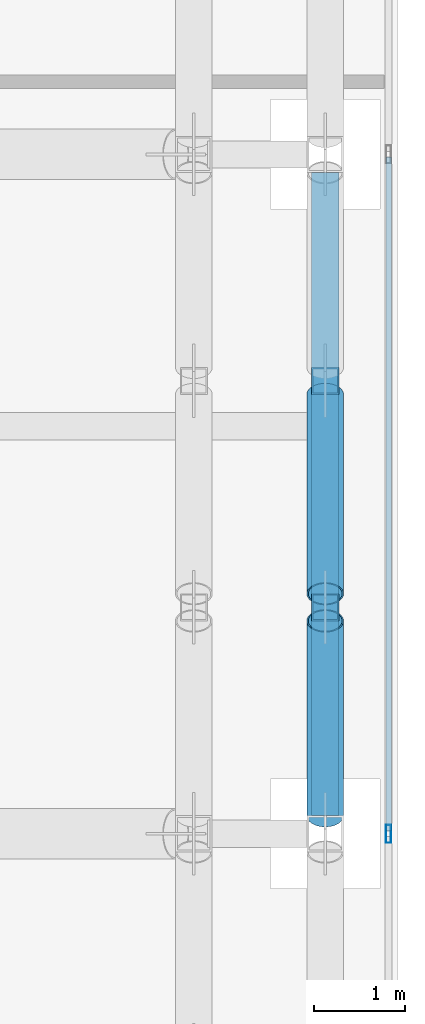
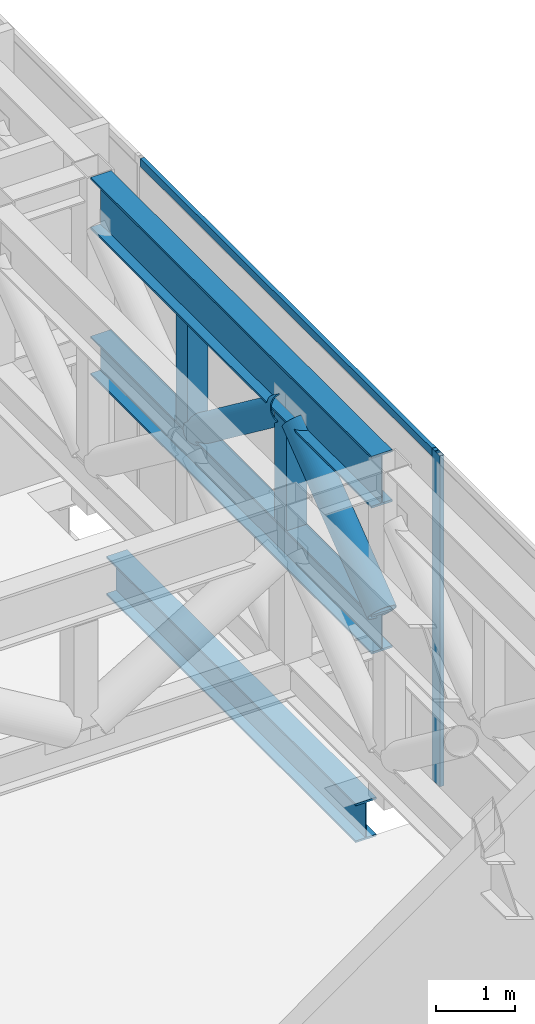
# One storey, part 16 of 39: 8 members, 1 beam, 1 element without a shape of its own.
"""IFC4 building model written with IfcOpenShell, lengths in metres."""

import ifcopenshell
import ifcopenshell.guid

model = None  # the IFC model being written
_history = None  # IfcOwnerHistory: only IFC2X3 demands one
_inside = {}  # id of a spatial element -> (the spatial element, [elements in it])
_under = {}  # id of a project, library or spatial element -> (it, [spatial elements below it])
_declared = {}  # id of a project -> (the project, [libraries it declares])
_typed = {}  # id of a type object -> (the type object, [elements of that type])
_made_of = {}  # id of a material, layer set ... -> (it, [elements and type objects made of it])


def new_model(schema):
    """Start an empty IFC model of exactly this schema.

    Asked for "IFC4X3", IfcOpenShell would pick the latest addendum, in which some entities
    have other attributes; the version numbers below select the first issue.
    IFC2X3 requires an IfcOwnerHistory on every rooted entity: one is made here for all.
    """
    global model, _history
    if schema == "IFC4X3":
        model = ifcopenshell.file(schema_version=(4, 3, 0, 0))
    else:
        model = ifcopenshell.file(schema=schema)
    _inside.clear()
    _under.clear()
    _declared.clear()
    _typed.clear()
    _made_of.clear()
    _history = None
    if model.schema == "IFC2X3":
        org = make("IfcOrganization", Name="unknown")
        user = make(
            "IfcPersonAndOrganization",
            ThePerson=make("IfcPerson", FamilyName="unknown"),
            TheOrganization=org,
        )
        app = make(
            "IfcApplication",
            ApplicationDeveloper=org,
            Version="unknown",
            ApplicationFullName="unknown",
            ApplicationIdentifier="unknown",
        )
        _history = make(
            "IfcOwnerHistory",
            OwningUser=user,
            OwningApplication=app,
            ChangeAction="ADDED",
            CreationDate=0,
        )
    return model


def make(cls, **values):
    """One entity of the class cls with the attributes given. An attribute that is None is left unset."""
    return model.create_entity(
        cls, **{name: value for name, value in values.items() if value is not None}
    )


def rooted(cls, **values):
    """An entity with a GlobalId (a new one), such as an element, a storey or a relation."""
    return make(cls, GlobalId=ifcopenshell.guid.new(), OwnerHistory=_history, **values)


def si_unit(unit_type, name, prefix=None):
    """IfcSIUnit, for example si_unit("LENGTHUNIT", "METRE", prefix="MILLI")."""
    return make("IfcSIUnit", UnitType=unit_type, Prefix=prefix, Name=name)


def assignment(units):
    """IfcUnitAssignment: the units of a project."""
    return None if units is None else make("IfcUnitAssignment", Units=units)


def point(xyz):
    """IfcCartesianPoint."""
    return None if xyz is None else make("IfcCartesianPoint", Coordinates=xyz)


def direction(xyz):
    """IfcDirection."""
    return None if xyz is None else make("IfcDirection", DirectionRatios=xyz)


def frame(location, z_axis=None, x_axis=None):
    """IfcAxis2Placement3D, a coordinate frame: its origin and axes. An axis left out is left unset."""
    return make(
        "IfcAxis2Placement3D",
        Location=point(location),
        Axis=direction(z_axis),
        RefDirection=direction(x_axis),
    )


def frame_2d(location, x_axis=None):
    """IfcAxis2Placement2D, a coordinate frame in the plane: its origin and x axis."""
    return make(
        "IfcAxis2Placement2D", Location=point(location), RefDirection=direction(x_axis)
    )


def origin():
    """The frame at (0, 0, 0) with its axes left unset."""
    return frame((0.0, 0.0, 0.0))


def origin_2d():
    """The frame at (0, 0) in the plane with its x axis left unset."""
    return frame_2d((0.0, 0.0))


def place(relative_to, where):
    """IfcLocalPlacement: puts the frame where relative to a parent placement (None: the world)."""
    return make(
        "IfcLocalPlacement", PlacementRelTo=relative_to, RelativePlacement=where
    )


def context(
    kind, dimensions, precision=None, world=None, true_north=None, identifier=None
):
    """IfcGeometricRepresentationContext, for example the 3D "Model" context."""
    return make(
        "IfcGeometricRepresentationContext",
        ContextIdentifier=identifier,
        ContextType=kind,
        CoordinateSpaceDimension=dimensions,
        Precision=precision,
        WorldCoordinateSystem=world,
        TrueNorth=true_north,
    )


def subcontext(parent, identifier, kind, view, scale=None):
    """IfcGeometricRepresentationSubContext, for example "Body" below "Model"."""
    return make(
        "IfcGeometricRepresentationSubContext",
        ContextIdentifier=identifier,
        ContextType=kind,
        ParentContext=parent,
        TargetScale=scale,
        TargetView=view,
    )


def project(units=None, contexts=None):
    """IfcProject with its units and contexts."""
    return rooted(
        "IfcProject",
        Name="project",
        RepresentationContexts=contexts,
        UnitsInContext=assignment(units),
    )


def spatial(cls, under=None, at=None, **own):
    """A site, building, storey or space (cls), placed at a placement, below another one or the project."""
    s = rooted(cls, ObjectPlacement=at, **own)
    if under is not None:
        _under.setdefault(under.id(), (under, []))[1].append(s)
    return s


def profile(cls, at=None, kind="AREA", **sizes):
    """A parametric profile (cls). Its sizes go by their IFC names, for example OverallWidth=200.0."""
    return make(cls, ProfileType=kind, Position=at, **sizes)


def hollow_rectangle(**sizes):
    """IfcRectangleHollowProfileDef."""
    return profile("IfcRectangleHollowProfileDef", **sizes)


def hollow_circle(**sizes):
    """IfcCircleHollowProfileDef."""
    return profile("IfcCircleHollowProfileDef", **sizes)


def i_section(**sizes):
    """IfcIShapeProfileDef."""
    return profile("IfcIShapeProfileDef", **sizes)


def extrude(swept, where, along, depth):
    """IfcExtrudedAreaSolid: the profile swept, set in the frame where, extruded along a direction by depth."""
    return make(
        "IfcExtrudedAreaSolid",
        SweptArea=swept,
        Position=where,
        ExtrudedDirection=direction(along),
        Depth=depth,
    )


def shape(context_of_items, identifier, shape_type, items):
    """IfcShapeRepresentation: the items that make up one representation, for example the "Body"."""
    return make(
        "IfcShapeRepresentation",
        ContextOfItems=context_of_items,
        RepresentationIdentifier=identifier,
        RepresentationType=shape_type,
        Items=items,
    )


def source(mapping_origin, context_of_items, identifier, shape_type, items):
    """IfcRepresentationMap: a shape defined once, which mapped items show again and again."""
    return make(
        "IfcRepresentationMap",
        MappingOrigin=mapping_origin,
        MappedRepresentation=shape(context_of_items, identifier, shape_type, items),
    )


def transform(
    local_origin,
    x_axis=None,
    y_axis=None,
    z_axis=None,
    scale=None,
    scale2=None,
    scale3=None,
    uniform=True,
):
    """IfcCartesianTransformationOperator3D, or its non-uniform kind. x_axis, y_axis, z_axis: its Axis1, 2, 3."""
    if uniform:
        return make(
            "IfcCartesianTransformationOperator3D",
            Axis1=direction(x_axis),
            Axis2=direction(y_axis),
            LocalOrigin=point(local_origin),
            Scale=scale,
            Axis3=direction(z_axis),
        )
    return make(
        "IfcCartesianTransformationOperator3DnonUniform",
        Axis1=direction(x_axis),
        Axis2=direction(y_axis),
        LocalOrigin=point(local_origin),
        Scale=scale,
        Axis3=direction(z_axis),
        Scale2=scale2,
        Scale3=scale3,
    )


def mapped(mapping_source, mapping_target):
    """IfcMappedItem: shows the shape of a source again, moved by a transform."""
    return make(
        "IfcMappedItem", MappingSource=mapping_source, MappingTarget=mapping_target
    )


def material(Name=None, Category=None):
    """IfcMaterial."""
    return make("IfcMaterial", Name=Name, Category=Category)


def material_profile(
    of_material, cross_section, Name=None, Category=None, Priority=None
):
    """IfcMaterialProfile: a cross section and its material."""
    return make(
        "IfcMaterialProfile",
        Name=Name,
        Material=of_material,
        Profile=cross_section,
        Priority=Priority,
        Category=Category,
    )


def profile_set(profiles, Name=None, composite=None):
    """IfcMaterialProfileSet."""
    return make(
        "IfcMaterialProfileSet",
        Name=Name,
        MaterialProfiles=profiles,
        CompositeProfile=composite,
    )


def made_of(thing, what):
    """Note that an element or type object is made of a material, layer set ...; save() writes the relation."""
    if what is not None:
        _made_of.setdefault(what.id(), (what, []))[1].append(thing)
    return thing


def type_object(cls, material=None, **own):
    """A type object (cls), such as IfcWallType, which elements share."""
    return made_of(rooted(cls, **own), material)


def element(
    cls,
    number,
    at=None,
    inside=None,
    cuts=None,
    type_object=None,
    material=None,
    context=None,
    identifier="Body",
    shape_type=None,
    held_by="IfcProductDefinitionShape",
    body=None,
    shapes=None,
    **own,
):
    """One element of the class cls, such as IfcWall. Its Tag is "e" and its number.

    at: its placement. inside: the storey or other place that contains it. cuts: it is an
    opening in that element (IfcRelVoidsElement). A single representation is given by context,
    identifier, shape_type and body (its items); several are given by shapes. held_by: the class
    of the entity that holds the representations. save() writes the other relations.
    """
    e = rooted(cls, Tag="e%d" % number, ObjectPlacement=at, **own)
    if body is not None:
        shapes = [shape(context, identifier, shape_type, body)]
    if shapes is not None:
        e.Representation = make(held_by, Representations=shapes)
    if inside is not None:
        _inside.setdefault(inside.id(), (inside, []))[1].append(e)
    if cuts is not None:
        rooted(
            "IfcRelVoidsElement", RelatingBuildingElement=cuts, RelatedOpeningElement=e
        )
    if type_object is not None:
        _typed.setdefault(type_object.id(), (type_object, []))[1].append(e)
    return made_of(e, material)


def aggregate(whole, parts):
    """IfcRelAggregates: a whole, such as a stair, and the parts it consists of."""
    return rooted("IfcRelAggregates", RelatingObject=whole, RelatedObjects=parts)


def save(model, path):
    """Write the relations noted so far, then the file.

    IfcRelAggregates (storeys below a building ...), IfcRelContainedInSpatialStructure (elements
    in a storey), IfcRelDefinesByType, IfcRelAssociatesMaterial and IfcRelDeclares: one each for
    every whole, place, type object, material and project.
    """
    for whole, parts in _under.values():
        aggregate(whole, parts)
    for where, things in _inside.values():
        rooted(
            "IfcRelContainedInSpatialStructure",
            RelatedElements=things,
            RelatingStructure=where,
        )
    for kind, things in _typed.values():
        rooted("IfcRelDefinesByType", RelatedObjects=things, RelatingType=kind)
    for what, things in _made_of.values():
        rooted("IfcRelAssociatesMaterial", RelatedObjects=things, RelatingMaterial=what)
    for by, libraries in _declared.values():
        rooted("IfcRelDeclares", RelatingContext=by, RelatedDefinitions=libraries)
    model.write(path)


model = new_model("IFC4")

# Units and contexts
model_context = context("Model", 3, precision=1e-05, world=origin(), true_north=direction((0.0, 1.0)))
body_context = subcontext(model_context, "Body", "Model", "MODEL_VIEW")
ifc_project = project(units=[si_unit("LENGTHUNIT", "METRE"), si_unit("AREAUNIT", "SQUARE_METRE"), si_unit("VOLUMEUNIT", "CUBIC_METRE"), si_unit("PLANEANGLEUNIT", "RADIAN"), si_unit("MASSUNIT", "GRAM", prefix="KILO")], contexts=[model_context])

# Site, building, storey
site_placement = place(None, origin())
site = spatial("IfcSite", under=ifc_project, at=site_placement, CompositionType="ELEMENT")
building_placement = place(site_placement, origin())
building = spatial("IfcBuilding", under=site, at=building_placement, Name="Khomas Fold Tower", CompositionType="ELEMENT")
storey_placement = place(building_placement, frame((0.0, 0.0, 96.0)))
storey = spatial("IfcBuildingStorey", under=building, at=storey_placement, Name="L20", CompositionType="ELEMENT", Elevation=96.0)

# Beam
ifc_material_1 = material(Name="Steel S355", Category="steel")
ifc_material_profile_1 = material_profile(ifc_material_1, i_section(OverallWidth=0.300048828125, OverallDepth=0.60009765625, WebThickness=0.015380859375, FlangeThickness=0.030029296875, at=origin_2d()), Name="HE 600 B")
ifc_profile_set_1 = profile_set([ifc_material_profile_1], Name="Steel S355")
beam_type = type_object("IfcBeamType", Name="HE 600 B spandrel SB1", PredefinedType="SPANDREL", material=ifc_profile_set_1)
shared_shape_1 = source(origin(), body_context, "Body", "SweptSolid", [
    extrude(i_section(OverallWidth=0.300048828125, OverallDepth=0.60009765625, WebThickness=0.015380859375, FlangeThickness=0.030029296875, at=origin_2d()), origin(), (0.0, 0.0, 1.0), 6.2998046875),
])
beam_placement = place(storey_placement, frame((53.199951171875, 27.60009765625, -0.699951171875), z_axis=(0.0, 1.0, 0.0), x_axis=(-1.0, 0.0, 0.0)))
element("IfcBeam", 1, at=beam_placement, inside=storey, type_object=beam_type, Name="SB1", PredefinedType="SPANDREL", context=body_context, shape_type="MappedRepresentation", body=[
    mapped(shared_shape_1, transform((0.0, 0.0, 0.0))),
])

# Members
ifc_material_2 = material(Name="Steel S355", Category="steel")
ifc_material_profile_2 = material_profile(ifc_material_2, hollow_rectangle(XDim=0.300048828125, YDim=0.300048828125, WallThickness=0.01611328125, at=origin_2d()), Name="SHS 300x300x16")
ifc_profile_set_2 = profile_set([ifc_material_profile_2], Name="Steel S355")
member_type_1 = type_object("IfcMemberType", Name="BELT TRUSS 1 MID POST SHS 300x300x16", PredefinedType="POST", material=ifc_profile_set_2)
shared_shape_2 = source(origin(), body_context, "Body", "SweptSolid", [
    extrude(hollow_rectangle(XDim=0.300048828125, YDim=0.300048828125, WallThickness=0.01611328125, at=origin_2d()), origin(), (0.0, 0.0, 1.0), 1.64990234375),
])
for number, where, z_axis, x_axis, name in (
    (2, (53.199951171875, 29.5, 2.75), (0.0, 0.0, 1.0), (1.0, 0.0, 0.0), "BT1-M"),
    (3, (53.199951171875, 32.0, 2.75), (0.0, 0.0, 1.0), (1.0, 0.0, 0.0), "BT1-M"),
):
    element("IfcMember", number, at=place(storey_placement, frame(where, z_axis=z_axis, x_axis=x_axis)), inside=storey, type_object=member_type_1, Name=name, PredefinedType="POST", context=body_context, shape_type="MappedRepresentation", body=[
        mapped(shared_shape_2, transform((0.0, 0.0, 0.0))),
    ])
ifc_material_3 = material(Name="Steel S460M", Category="steel")
ifc_material_profile_3 = material_profile(ifc_material_3, i_section(OverallWidth=0.300048828125, OverallDepth=0.800048828125, WebThickness=0.017578125, FlangeThickness=0.032958984375, at=origin_2d()), Name="HE 800 B")
ifc_profile_set_3 = profile_set([ifc_material_profile_3], Name="Steel S460M")
member_type_2 = type_object("IfcMemberType", Name="BELT TRUSS 1 TOP CHORD HE 800 B", PredefinedType="CHORD", material=ifc_profile_set_3)
shared_shape_3 = source(origin(), body_context, "Body", "SweptSolid", [
    extrude(i_section(OverallWidth=0.300048828125, OverallDepth=0.800048828125, WebThickness=0.017578125, FlangeThickness=0.032958984375, at=origin_2d()), origin(), (0.0, 0.0, 1.0), 7.10009765625),
])
member_1_placement = place(storey_placement, frame((53.199951171875, 27.199951171875, 4.800048828125), z_axis=(0.0, 1.0, 0.0), x_axis=(-1.0, 0.0, 0.0)))
element("IfcMember", 4, at=member_1_placement, inside=storey, type_object=member_type_2, Name="BT1-CT", PredefinedType="CHORD", context=body_context, shape_type="MappedRepresentation", body=[
    mapped(shared_shape_3, transform((0.0, 0.0, 0.0))),
])
ifc_material_4 = material(Name="Steel S355", Category="steel")
ifc_material_profile_4 = material_profile(ifc_material_4, i_section(OverallWidth=0.300048828125, OverallDepth=0.60009765625, WebThickness=0.015380859375, FlangeThickness=0.030029296875, at=origin_2d()), Name="HE 600 B")
ifc_profile_set_4 = profile_set([ifc_material_profile_4], Name="Steel S355")
member_type_3 = type_object("IfcMemberType", Name="BELT TRUSS 1 BOTTOM CHORD HE 600 B", PredefinedType="CHORD", material=ifc_profile_set_4)
shared_shape_4 = source(origin(), body_context, "Body", "SweptSolid", [
    extrude(i_section(OverallWidth=0.300048828125, OverallDepth=0.60009765625, WebThickness=0.015380859375, FlangeThickness=0.030029296875, at=origin_2d()), origin(), (0.0, 0.0, 1.0), 7.10009765625),
])
member_2_placement = place(storey_placement, frame((53.199951171875, 27.199951171875, 2.449951171875), z_axis=(0.0, 1.0, 0.0), x_axis=(-1.0, 0.0, 0.0)))
element("IfcMember", 5, at=member_2_placement, inside=storey, type_object=member_type_3, Name="BT1-CB", PredefinedType="CHORD", context=body_context, shape_type="MappedRepresentation", body=[
    mapped(shared_shape_4, transform((0.0, 0.0, 0.0))),
])
ifc_material_5 = material(Name="Steel S355", Category="steel")
ifc_material_profile_5 = material_profile(ifc_material_5, hollow_circle(Radius=0.203125, WallThickness=0.01611328125, at=origin_2d()), Name="CHS 406.4x16")
ifc_profile_set_5 = profile_set([ifc_material_profile_5], Name="Steel S355")
member_type_4 = type_object("IfcMemberType", Name="BELT TRUSS 1 DIAGONAL CHS 406.4x16", PredefinedType="BRACE", material=ifc_profile_set_5)
shared_shape_5 = source(origin(), body_context, "Body", "SweptSolid", [
    extrude(hollow_circle(Radius=0.203125, WallThickness=0.01611328125, at=origin_2d()), origin(), (0.0, 0.0, 1.0), 2.71630859375),
])
member_3_placement = place(storey_placement, frame((53.199951171875, 27.199951171875, 2.7451171875), z_axis=(0.0, 0.791563625226, 0.611086759159), x_axis=(-1.0, 0.0, 0.0)))
element("IfcMember", 6, at=member_3_placement, inside=storey, type_object=member_type_4, Name="BT1-D", PredefinedType="BRACE", context=body_context, shape_type="MappedRepresentation", body=[
    mapped(shared_shape_5, transform((0.0, 0.0, 0.0))),
])
shared_shape_6 = source(origin(), body_context, "Body", "SweptSolid", [
    extrude(hollow_circle(Radius=0.203125, WallThickness=0.01611328125, at=origin_2d()), origin(), (0.0, 0.0, 1.0), 2.756103515625),
])
member_4_placement = place(storey_placement, frame((53.199951171875, 29.64990234375, 4.405029296875), z_axis=(0.0, 0.798296022167, -0.602265274602), x_axis=(-1.0, 0.0, 0.0)))
element("IfcMember", 7, at=member_4_placement, inside=storey, type_object=member_type_4, Name="BT1-D", PredefinedType="BRACE", context=body_context, shape_type="MappedRepresentation", body=[
    mapped(shared_shape_6, transform((0.0, 0.0, 0.0))),
])

# Curtain wall, members
ifc_material_6 = material(Name="Aluminium framed double glazing", Category="aluminium")
curtain_wall_type = type_object("IfcCurtainWallType", Name="SK-Plant louvre wall CW4", PredefinedType="NOTDEFINED", material=ifc_material_6)
curtain_wall_placement = place(storey_placement, origin())
curtain_wall = element("IfcCurtainWall", 8, at=curtain_wall_placement, inside=storey, type_object=curtain_wall_type, Name="CW4 run L20 03-0", PredefinedType="NOTDEFINED")
ifc_material_7 = material(Name="Aluminium", Category="aluminium")
ifc_material_profile_6 = material_profile(ifc_material_7, hollow_rectangle(XDim=0.06005859375, YDim=0.199951171875, WallThickness=0.00390625, at=origin_2d()), Name="SK-Plant louvre wall mullion CW4-M")
ifc_profile_set_6 = profile_set([ifc_material_profile_6], Name="Aluminium")
member_type_5 = type_object("IfcMemberType", Name="SK-Plant louvre wall mullion CW4-M", PredefinedType="MULLION", material=ifc_profile_set_6)
shared_shape_7 = source(origin(), body_context, "Body", "SweptSolid", [
    extrude(hollow_rectangle(XDim=0.06005859375, YDim=0.199951171875, WallThickness=0.00390625, at=origin_2d()), origin(), (0.0, 0.0, 1.0), 5.10009765625),
])
member_5_placement = place(storey_placement, frame((53.89990234375, 27.0, 0.0), z_axis=(0.0, 0.0, 1.0), x_axis=(-1.0, 0.0, 0.0)))
member_5 = element("IfcMember", 9, at=member_5_placement, type_object=member_type_5, Name="CW4 mullion 5", PredefinedType="MULLION", context=body_context, shape_type="MappedRepresentation", body=[
    mapped(shared_shape_7, transform((0.0, 0.0, 0.0))),
])
ifc_material_8 = material(Name="Aluminium", Category="aluminium")
ifc_material_profile_7 = material_profile(ifc_material_8, hollow_rectangle(XDim=0.06005859375, YDim=0.1201171875, WallThickness=0.00390625, at=origin_2d()), Name="SK-Plant louvre wall transom CW4-T")
ifc_profile_set_7 = profile_set([ifc_material_profile_7], Name="Aluminium")
member_type_6 = type_object("IfcMemberType", Name="SK-Plant louvre wall transom CW4-T", PredefinedType="USERDEFINED", material=ifc_profile_set_7)
shared_shape_8 = source(origin(), body_context, "Body", "SweptSolid", [
    extrude(hollow_rectangle(XDim=0.06005859375, YDim=0.1201171875, WallThickness=0.00390625, at=origin_2d()), origin(), (0.0, 0.0, 1.0), 7.43994140625),
])
member_6_placement = place(storey_placement, frame((53.89990234375, 27.030029296875, 5.0400390625), z_axis=(0.0, 1.0, 0.0), x_axis=(-1.0, 0.0, 0.0)))
member_6 = element("IfcMember", 10, at=member_6_placement, type_object=member_type_6, Name="CW4 transom 5", ObjectType="TRANSOM", PredefinedType="USERDEFINED", context=body_context, shape_type="MappedRepresentation", body=[
    mapped(shared_shape_8, transform((0.0, 0.0, 0.0))),
])
aggregate(curtain_wall, [member_5, member_6])

save(model, "model.ifc")
